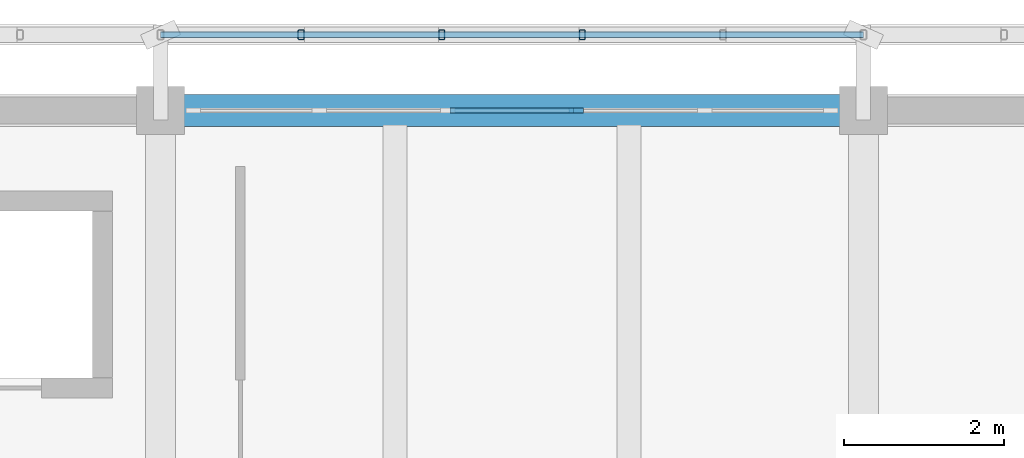
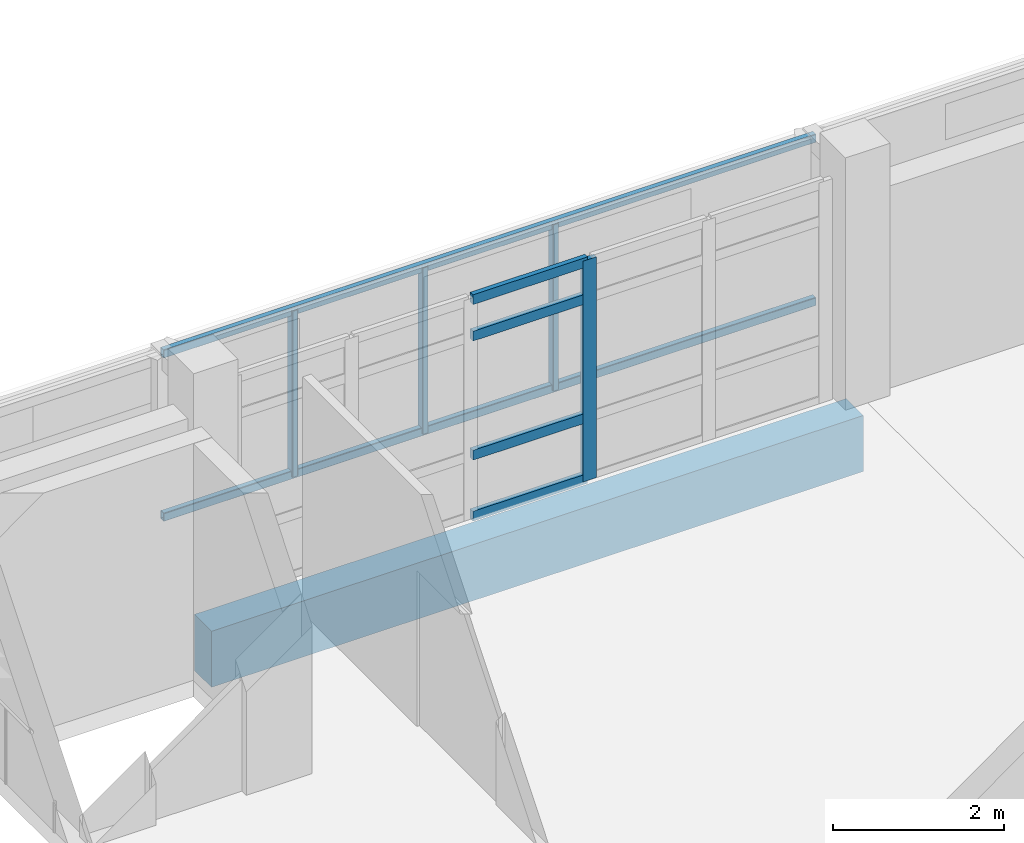
# One storey, part 24 of 50: 10 members, 1 beam, 1 element without a shape of its own.
"""IFC4 building model written with IfcOpenShell, lengths in metres."""

from ifc_helpers import new_model, si_unit, direction, frame, origin, origin_2d, place, context, subcontext, project, spatial, rectangle, hollow_rectangle, extrude, material, material_profile, profile_set, type_object, element, aggregate, save


model = new_model("IFC4")

# Units and contexts
model_context = context("Model", 3, precision=1e-05, world=origin(), true_north=direction((0.0, 1.0)))
body_context = subcontext(model_context, "Body", "Model", "MODEL_VIEW")
ifc_project = project(units=[si_unit("LENGTHUNIT", "METRE"), si_unit("AREAUNIT", "SQUARE_METRE"), si_unit("VOLUMEUNIT", "CUBIC_METRE"), si_unit("PLANEANGLEUNIT", "RADIAN"), si_unit("MASSUNIT", "GRAM", prefix="KILO")], contexts=[model_context])

# Site, building, storey
site_placement = place(None, origin())
site = spatial("IfcSite", under=ifc_project, at=site_placement, CompositionType="ELEMENT")
building_placement = place(site_placement, origin())
building = spatial("IfcBuilding", under=site, at=building_placement, Name="Cinderway Yard Community Centre", CompositionType="ELEMENT")
storey_placement = place(building_placement, frame((0.0, 0.0, 12.89990234375)))
storey = spatial("IfcBuildingStorey", under=building, at=storey_placement, Name="L03", CompositionType="ELEMENT", Elevation=12.89990234375)

# Curtain wall, members
ifc_material_1 = material(Name="Aluminium 6063-T6", Category="aluminium")
curtain_wall_type = type_object("IfcCurtainWallType", Name="ENV-CW-TYPE-33", PredefinedType="USERDEFINED", material=ifc_material_1)
curtain_wall_placement = place(storey_placement, origin())
curtain_wall = element("IfcCurtainWall", 1, at=curtain_wall_placement, inside=storey, type_object=curtain_wall_type, Name="V4 Street Curtain Wall ENV-CW-L03-HS-0166", ObjectType="GLAZED CURTAIN WALL", PredefinedType="USERDEFINED")
ifc_material_profile_1 = material_profile(ifc_material_1, rectangle(XDim=0.06494140625, YDim=0.179931640625, at=origin_2d()), Name="Aluminium 6063-T6")
ifc_profile_set_1 = profile_set([ifc_material_profile_1], Name="Aluminium 6063-T6")
member_type_1 = type_object("IfcMemberType", Name="ENV-CW-MULL-180", PredefinedType="MULLION", material=ifc_profile_set_1)
member_1_placement = place(storey_placement, frame((89.2041015625, 115.199951171875, 0.0), z_axis=(0.0, 0.0, 1.0), x_axis=(0.0, 1.0, 0.0)))
member_1 = element("IfcMember", 2, at=member_1_placement, type_object=member_type_1, Name="CW-33 mullion 4", PredefinedType="MULLION", context=body_context, shape_type="SweptSolid", body=[
    extrude(rectangle(XDim=0.06494140625, YDim=0.179931640625, at=origin_2d()), origin(), (0.0, 0.0, 1.0), 3.150146484375),
])
ifc_material_profile_2 = material_profile(ifc_material_1, rectangle(XDim=0.06494140625, YDim=0.139892578125, at=origin_2d()), Name="Aluminium 6063-T6")
ifc_profile_set_2 = profile_set([ifc_material_profile_2], Name="Aluminium 6063-T6")
member_type_2 = type_object("IfcMemberType", Name="ENV-CW-TRAN-140", PredefinedType="USERDEFINED", material=ifc_profile_set_2)
member_2_placement = place(storey_placement, frame((87.6259765625, 115.199951171875, 0.030029296875), z_axis=(1.0, 0.0, 0.0), x_axis=(0.0, 1.0, 0.0)))
member_2 = element("IfcMember", 3, at=member_2_placement, type_object=member_type_2, Name="CW-33 transom 3.1", ObjectType="TRANSOM", PredefinedType="USERDEFINED", context=body_context, shape_type="SweptSolid", body=[
    extrude(rectangle(XDim=0.06494140625, YDim=0.139892578125, at=origin_2d()), origin(), (0.0, 0.0, 1.0), 1.548095703125),
])
member_3_placement = place(storey_placement, frame((87.6259765625, 115.199951171875, 0.900146484375), z_axis=(1.0, 0.0, 0.0), x_axis=(0.0, 1.0, 0.0)))
member_3 = element("IfcMember", 4, at=member_3_placement, type_object=member_type_2, Name="CW-33 transom 3.2", ObjectType="TRANSOM", PredefinedType="USERDEFINED", context=body_context, shape_type="SweptSolid", body=[
    extrude(rectangle(XDim=0.06494140625, YDim=0.139892578125, at=origin_2d()), origin(), (0.0, 0.0, 1.0), 1.548095703125),
])
member_4_placement = place(storey_placement, frame((87.6259765625, 115.199951171875, 2.60009765625), z_axis=(1.0, 0.0, 0.0), x_axis=(0.0, 1.0, 0.0)))
member_4 = element("IfcMember", 5, at=member_4_placement, type_object=member_type_2, Name="CW-33 transom 3.3", ObjectType="TRANSOM", PredefinedType="USERDEFINED", context=body_context, shape_type="SweptSolid", body=[
    extrude(rectangle(XDim=0.06494140625, YDim=0.139892578125, at=origin_2d()), origin(), (0.0, 0.0, 1.0), 1.548095703125),
])
member_5_placement = place(storey_placement, frame((87.6259765625, 115.199951171875, 3.1201171875), z_axis=(1.0, 0.0, 0.0), x_axis=(0.0, 1.0, 0.0)))
member_5 = element("IfcMember", 6, at=member_5_placement, type_object=member_type_2, Name="CW-33 transom 3.4", ObjectType="TRANSOM", PredefinedType="USERDEFINED", context=body_context, shape_type="SweptSolid", body=[
    extrude(rectangle(XDim=0.06494140625, YDim=0.139892578125, at=origin_2d()), origin(), (0.0, 0.0, 1.0), 1.548095703125),
])
aggregate(curtain_wall, [member_1, member_2, member_3, member_4, member_5])

# Members
ifc_material_2 = material(Name="Steel S355", Category="steel")
ifc_material_profile_3 = material_profile(ifc_material_2, hollow_rectangle(XDim=0.080078125, YDim=0.1201171875, WallThickness=0.00634765625, InnerFilletRadius=0.00634765625, OuterFilletRadius=0.0126953125, at=origin_2d()), Name="Steel S355")
ifc_profile_set_3 = profile_set([ifc_material_profile_3], Name="Steel S355")
member_type_3 = type_object("IfcMemberType", Name="ENV-MEM-SCREEN-RAIL-120", PredefinedType="STRINGER", material=ifc_profile_set_3)
for number, where, z_axis, x_axis, name in (
    (7, (84.0, 116.14990234375, 0.710205078125), (1.0, 0.0, 0.0), (0.0, 1.0, 0.0), "Screen support rail 0220-BOT"),
    (8, (84.0, 116.14990234375, 3.0400390625), (1.0, 0.0, 0.0), (0.0, 1.0, 0.0), "Screen support rail 0221-TOP"),
):
    element("IfcMember", number, at=place(storey_placement, frame(where, z_axis=z_axis, x_axis=x_axis)), inside=storey, type_object=member_type_3, Name=name, PredefinedType="STRINGER", context=body_context, shape_type="SweptSolid", body=[
        extrude(hollow_rectangle(XDim=0.080078125, YDim=0.1201171875, WallThickness=0.00634765625, InnerFilletRadius=0.00634765625, OuterFilletRadius=0.0126953125, at=origin_2d()), origin(), (0.0, 0.0, 1.0), 8.800048828125),
    ])
for number, where, z_axis, x_axis, name in (
    (9, (85.760009765625, 116.14990234375, 0.690185546875), (0.0, 0.0, 1.0), (1.0, 0.0, 0.0), "Screen vertical mullion 0222"),
    (10, (87.52001953125, 116.14990234375, 0.690185546875), (0.0, 0.0, 1.0), (1.0, 0.0, 0.0), "Screen vertical mullion 0223"),
    (11, (89.280029296875, 116.14990234375, 0.690185546875), (0.0, 0.0, 1.0), (1.0, 0.0, 0.0), "Screen vertical mullion 0224"),
):
    element("IfcMember", number, at=place(storey_placement, frame(where, z_axis=z_axis, x_axis=x_axis)), inside=storey, type_object=member_type_3, Name=name, PredefinedType="STRINGER", context=body_context, shape_type="SweptSolid", body=[
        extrude(hollow_rectangle(XDim=0.080078125, YDim=0.1201171875, WallThickness=0.00634765625, InnerFilletRadius=0.00634765625, OuterFilletRadius=0.0126953125, at=origin_2d()), origin(), (0.0, 0.0, 1.0), 2.369873046875),
    ])

# Beam
ifc_material_3 = material(Name="Concrete C40/50", Category="concrete")
ifc_material_profile_4 = material_profile(ifc_material_3, rectangle(XDim=0.39990234375, YDim=0.800048828125, at=origin_2d()), Name="Concrete C40/50")
ifc_profile_set_4 = profile_set([ifc_material_profile_4], Name="Concrete C40/50")
beam_type = type_object("IfcBeamType", Name="STR-BM-RC400X800", PredefinedType="BEAM", material=ifc_profile_set_4)
beam_placement = place(storey_placement, frame((84.0, 115.199951171875, -0.639892578125), z_axis=(1.0, 0.0, 0.0), x_axis=(0.0, 1.0, 0.0)))
element("IfcBeam", 12, at=beam_placement, inside=storey, type_object=beam_type, Name="Primary girder STR-BM-L03-BG05-0708", PredefinedType="BEAM", context=body_context, shape_type="SweptSolid", body=[
    extrude(rectangle(XDim=0.39990234375, YDim=0.800048828125, at=origin_2d()), origin(), (0.0, 0.0, 1.0), 8.800048828125),
])

save(model, "model.ifc")
